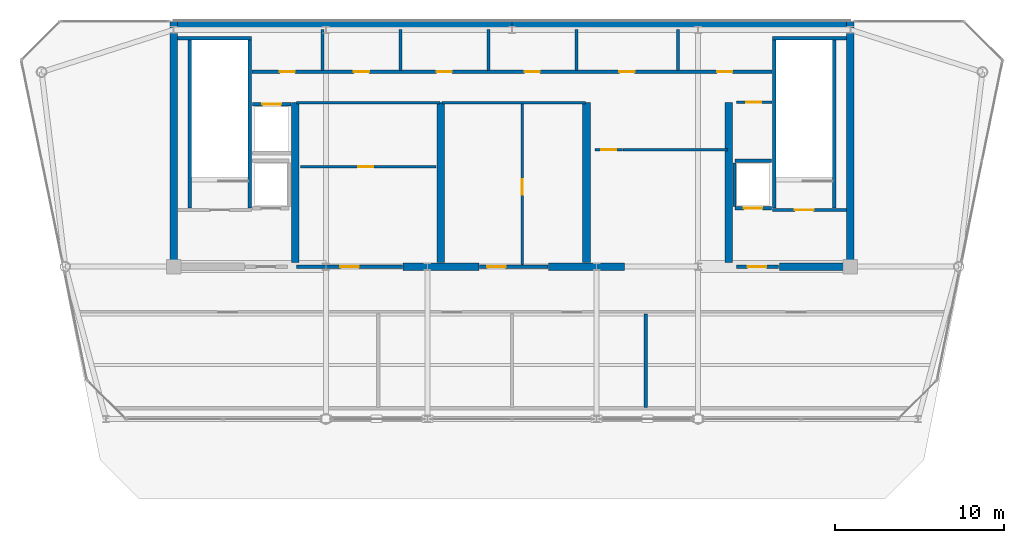
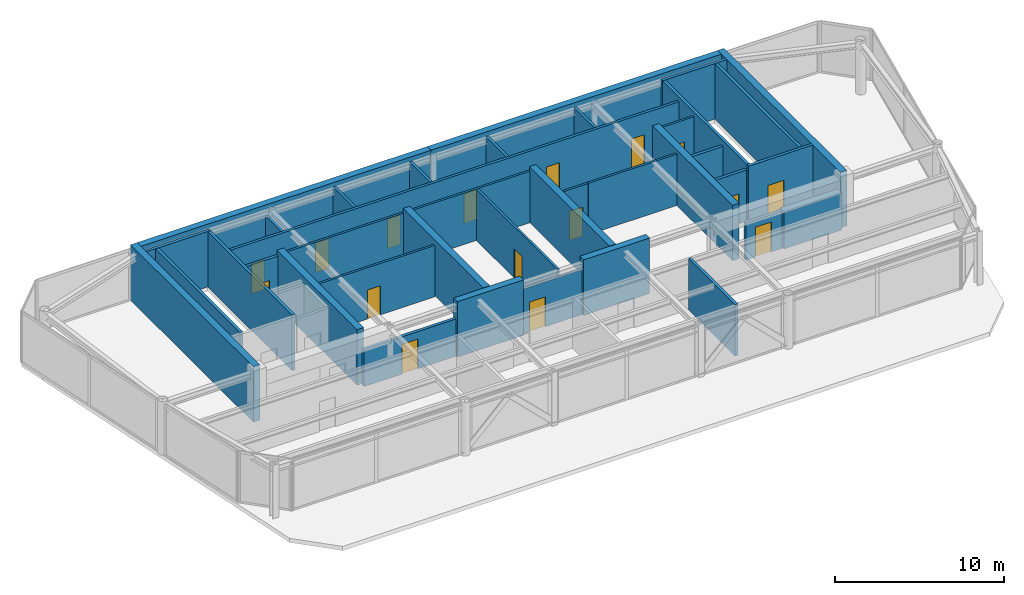
# One storey, part 6 of 7: 39 walls, 16 doors, 16 openings.
"""IFC4 building model written with IfcOpenShell, lengths in metres."""

from ifc_helpers import new_model, si_unit, direction, frame, frame_2d, origin, place, context, subcontext, project, spatial, rectangle, extrude, source, transform, mapped, material, layer, layer_set, type_object, element, fill, save


model = new_model("IFC4")

# Units and contexts
model_context = context("Model", 3, precision=1e-05, world=origin(), true_north=direction((0.0, 1.0)))
body_context = subcontext(model_context, "Body", "Model", "MODEL_VIEW")
ifc_project = project(units=[si_unit("LENGTHUNIT", "METRE"), si_unit("AREAUNIT", "SQUARE_METRE"), si_unit("VOLUMEUNIT", "CUBIC_METRE"), si_unit("PLANEANGLEUNIT", "RADIAN"), si_unit("MASSUNIT", "GRAM", prefix="KILO")], contexts=[model_context])

# Site, building, storey
site_placement = place(None, origin())
site = spatial("IfcSite", under=ifc_project, at=site_placement, CompositionType="ELEMENT")
building_placement = place(site_placement, origin())
building = spatial("IfcBuilding", under=site, at=building_placement, Name="Vaeldorn Concourse Tower", CompositionType="ELEMENT")
storey_placement = place(building_placement, frame((0.0, 0.0, 312.800048828125)))
storey = spatial("IfcBuildingStorey", under=building, at=storey_placement, Name="L80", CompositionType="ELEMENT", Elevation=312.800048828125)

# Walls
ifc_material_1 = material(Name="Concrete C50/60", Category="concrete")
ifc_layer_1 = layer(ifc_material_1, 0.449951171875)
ifc_layer_set_1 = layer_set([ifc_layer_1], Name="Concrete C50/60")
wall_type_1 = type_object("IfcWallType", Name="WL-CORE-450", PredefinedType="SHEAR", material=ifc_layer_set_1)
for number, where, z_axis, x_axis, name in (
    (1, (14.22900390625, 50.77490234375, 0.0), (0.0, 0.0, 1.0), (1.0, 0.0, 0.0), "Rear Core Shear Wall L80 N1"),
    (2, (34.001953125, 50.77490234375, 0.0), (0.0, 0.0, 1.0), (1.0, 0.0, 0.0), "Rear Core Shear Wall L80 N2"),
):
    element("IfcWall", number, at=place(storey_placement, frame(where, z_axis=z_axis, x_axis=x_axis)), inside=storey, type_object=wall_type_1, Name=name, PredefinedType="SHEAR", context=body_context, shape_type="SweptSolid", body=[
        extrude(rectangle(XDim=19.76904296875, YDim=0.449951171875, at=frame_2d((9.884521484375, 0.0))), origin(), (0.0, 0.0, 1.0), 4.0),
    ])
for number, where, z_axis, x_axis, name in (
    (3, (14.0, 36.5, 0.0), (0.0, 0.0, 1.0), (0.0, 1.0, 0.0), "Rear Core Shear Wall L80 W1"),
    (4, (54.0, 36.5, 0.0), (0.0, 0.0, 1.0), (0.0, 1.0, 0.0), "Rear Core Shear Wall L80 E1"),
):
    element("IfcWall", number, at=place(storey_placement, frame(where, z_axis=z_axis, x_axis=x_axis)), inside=storey, type_object=wall_type_1, Name=name, PredefinedType="SHEAR", context=body_context, shape_type="SweptSolid", body=[
        extrude(rectangle(XDim=14.5, YDim=0.449951171875, at=frame_2d((7.25, 0.0))), origin(), (0.0, 0.0, 1.0), 4.0),
    ])
for number, where, z_axis, x_axis, name in (
    (5, (27.550048828125, 36.5, 0.0), (0.0, 0.0, 1.0), (1.0, 0.0, 0.0), "Rear Core Shear Wall L80 S2"),
    (6, (36.14990234375, 36.5, 0.0), (0.0, 0.0, 1.0), (1.0, 0.0, 0.0), "Rear Core Shear Wall L80 S3"),
):
    element("IfcWall", number, at=place(storey_placement, frame(where, z_axis=z_axis, x_axis=x_axis)), inside=storey, type_object=wall_type_1, Name=name, PredefinedType="SHEAR", context=body_context, shape_type="SweptSolid", body=[
        extrude(rectangle(XDim=4.5, YDim=0.449951171875, at=frame_2d((2.25, 0.0))), origin(), (0.0, 0.0, 1.0), 4.0),
    ])
wall_1_placement = place(storey_placement, frame((49.800048828125, 36.5, 0.0), z_axis=(0.0, 0.0, 1.0), x_axis=(1.0, 0.0, 0.0)))
element("IfcWall", 7, at=wall_1_placement, inside=storey, type_object=wall_type_1, Name="Rear Core Shear Wall L80 S4", PredefinedType="SHEAR", context=body_context, shape_type="SweptSolid", body=[
    extrude(rectangle(XDim=3.954833984375, YDim=0.449951171875, at=frame_2d((1.9775390625, 0.0))), origin(), (0.0, 0.0, 1.0), 2.699951171875),
])
for number, where, z_axis, x_axis, name in (
    (8, (21.199951171875, 36.7451171875, 0.0), (0.0, 0.0, 1.0), (0.0, 1.0, 0.0), "Rear Core Shear Wall L80 M1"),
    (9, (29.800048828125, 36.7451171875, 0.0), (0.0, 0.0, 1.0), (0.0, 1.0, 0.0), "Rear Core Shear Wall L80 M2"),
    (10, (38.39990234375, 36.7451171875, 0.0), (0.0, 0.0, 1.0), (0.0, 1.0, 0.0), "Rear Core Shear Wall L80 M3"),
    (11, (46.800048828125, 36.7451171875, 0.0), (0.0, 0.0, 1.0), (0.0, 1.0, 0.0), "Rear Core Shear Wall L80 M4"),
):
    element("IfcWall", number, at=place(storey_placement, frame(where, z_axis=z_axis, x_axis=x_axis)), inside=storey, type_object=wall_type_1, Name=name, PredefinedType="SHEAR", context=body_context, shape_type="SweptSolid", body=[
        extrude(rectangle(XDim=9.454833984375, YDim=0.449951171875, at=frame_2d((4.7275390625, 0.0))), origin(), (0.0, 0.0, 1.0), 4.0),
    ])
ifc_material_2 = material(Name="Gypsum Board Partition", Category="gypsum")
ifc_layer_2 = layer(ifc_material_2, 0.14990234375)
ifc_layer_set_2 = layer_set([ifc_layer_2], Name="Gypsum Board Partition")
wall_type_2 = type_object("IfcWallType", Name="WL-PART-150", PredefinedType="PARTITIONING", material=ifc_layer_set_2)
wall_2_placement = place(storey_placement, frame((21.25, 46.199951171875, 0.0), z_axis=(0.0, 0.0, 1.0), x_axis=(1.0, 0.0, 0.0)))
element("IfcWall", 12, at=wall_2_placement, inside=storey, type_object=wall_type_2, Name="Interior Wall CW-L80-R1N", PredefinedType="PARTITIONING", context=body_context, shape_type="SweptSolid", body=[
    extrude(rectangle(XDim=8.5, YDim=0.14990234375, at=frame_2d((4.25, 0.0))), origin(), (0.0, 0.0, 1.0), 3.699951171875),
])

# Wall, opening, door
wall_3_placement = place(storey_placement, frame((21.5, 42.39990234375, 0.0), z_axis=(0.0, 0.0, 1.0), x_axis=(1.0, 0.0, 0.0)))
wall_3 = element("IfcWall", 13, at=wall_3_placement, inside=storey, type_object=wall_type_2, Name="Interior Wall CW-L80-R1M", PredefinedType="PARTITIONING", context=body_context, shape_type="SweptSolid", body=[
    extrude(rectangle(XDim=8.0, YDim=0.14990234375, at=frame_2d((4.0, 0.0))), origin(), (0.0, 0.0, 1.0), 3.699951171875),
])
opening_1_placement = place(wall_3_placement, frame((3.39990234375, 0.0, 0.0)))
opening_1 = element("IfcOpeningElement", 14, at=opening_1_placement, cuts=wall_3, Name="Opening D-02", PredefinedType="OPENING", context=body_context, shape_type="SweptSolid", body=[
    extrude(rectangle(XDim=0.89990234375, YDim=2.10009765625, at=frame_2d((0.449951171875, 1.050048828125))), frame((0.0, 0.0849609375, 0.0), z_axis=(0.0, -1.0, 0.0), x_axis=(1.0, 0.0, 0.0)), (0.0, 0.0, 1.0), 0.169921875),
])
ifc_material_3 = material(Name="Fire-Rated Timber Leaf", Category="wood")
door_type_1 = type_object("IfcDoorType", Name="DR-FD30-900", OperationType="NOTDEFINED", PredefinedType="DOOR", material=ifc_material_3)
shared_shape_1 = source(origin(), body_context, "Body", "SweptSolid", [
    extrude(rectangle(XDim=0.89990234375, YDim=2.10009765625, at=frame_2d((0.449951171875, 1.050048828125))), frame((0.0, 0.02490234375, 0.0), z_axis=(0.0, -1.0, 0.0), x_axis=(1.0, 0.0, 0.0)), (0.0, 0.0, 1.0), 0.050048828125),
])
door_1_placement = place(opening_1_placement, origin())
door_1 = element("IfcDoor", 15, at=door_1_placement, inside=storey, type_object=door_type_1, Name="Interior Door DR-L80-R1M", OperationType="SINGLE_SWING_RIGHT", OverallHeight=2.10009765625, OverallWidth=0.89990234375, PredefinedType="DOOR", context=body_context, shape_type="MappedRepresentation", body=[
    mapped(shared_shape_1, transform((0.0, 0.0, 0.0), scale=1.0)),
])
fill(opening_1, door_1)

# Wall
wall_4_placement = place(storey_placement, frame((29.85009765625, 46.199951171875, 0.0), z_axis=(0.0, 0.0, 1.0), x_axis=(1.0, 0.0, 0.0)))
element("IfcWall", 16, at=wall_4_placement, inside=storey, type_object=wall_type_2, Name="Interior Wall CW-L80-R2N", PredefinedType="PARTITIONING", context=body_context, shape_type="SweptSolid", body=[
    extrude(rectangle(XDim=8.5, YDim=0.14990234375, at=frame_2d((4.25, 0.0))), origin(), (0.0, 0.0, 1.0), 3.699951171875),
])

# Wall, opening, door
wall_5_placement = place(storey_placement, frame((34.60009765625, 36.56005859375, 0.0), z_axis=(0.0, 0.0, 1.0), x_axis=(0.0, 1.0, 0.0)))
wall_5 = element("IfcWall", 17, at=wall_5_placement, inside=storey, type_object=wall_type_2, Name="Interior Wall CW-L80-R2M", PredefinedType="PARTITIONING", context=body_context, shape_type="SweptSolid", body=[
    extrude(rectangle(XDim=9.579833984375, YDim=0.14990234375, at=frame_2d((4.7900390625, 0.0))), origin(), (0.0, 0.0, 1.0), 3.699951171875),
])
opening_2_placement = place(wall_5_placement, frame((4.199951171875, 0.0, 0.0)))
opening_2 = element("IfcOpeningElement", 18, at=opening_2_placement, cuts=wall_5, Name="Opening D-02", PredefinedType="OPENING", context=body_context, shape_type="SweptSolid", body=[
    extrude(rectangle(XDim=0.89990234375, YDim=2.10009765625, at=frame_2d((0.449951171875, 1.050048828125))), frame((0.0, 0.0849609375, 0.0), z_axis=(0.0, -1.0, 0.0), x_axis=(1.0, 0.0, 0.0)), (0.0, 0.0, 1.0), 0.169921875),
])
door_2_placement = place(opening_2_placement, origin())
door_2 = element("IfcDoor", 19, at=door_2_placement, inside=storey, type_object=door_type_1, Name="Interior Door DR-L80-R2E", OperationType="SINGLE_SWING_RIGHT", OverallHeight=2.10009765625, OverallWidth=0.89990234375, PredefinedType="DOOR", context=body_context, shape_type="MappedRepresentation", body=[
    mapped(shared_shape_1, transform((0.0, 0.0, 0.0), scale=1.0)),
])
fill(opening_2, door_2)

# Wall
wall_6_placement = place(storey_placement, frame((40.550048828125, 43.39990234375, 0.0), z_axis=(0.0, 0.0, 1.0), x_axis=(1.0, 0.0, 0.0)))
element("IfcWall", 20, at=wall_6_placement, inside=storey, type_object=wall_type_2, Name="Interior Wall CW-L80-B3N", PredefinedType="PARTITIONING", context=body_context, shape_type="SweptSolid", body=[
    extrude(rectangle(XDim=6.199951171875, YDim=0.14990234375, at=frame_2d((3.10009765625, 0.0))), origin(), (0.0, 0.0, 1.0), 3.699951171875),
])

# Wall, opening, door
wall_7_placement = place(storey_placement, frame((47.280029296875, 46.219970703125, 0.0), z_axis=(0.0, 0.0, 1.0), x_axis=(1.0, 0.0, 0.0)))
wall_7 = element("IfcWall", 21, at=wall_7_placement, inside=storey, type_object=wall_type_2, Name="Interior Wall CW-L80-CRSE-N", PredefinedType="PARTITIONING", context=body_context, shape_type="SweptSolid", body=[
    extrude(rectangle(XDim=2.099853515625, YDim=0.14990234375, at=frame_2d((1.0498046875, 0.0))), origin(), (0.0, 0.0, 1.0), 3.699951171875),
])
opening_3_placement = place(wall_7_placement, frame((0.550048828125, 0.0, 0.0)))
opening_3 = element("IfcOpeningElement", 22, at=opening_3_placement, cuts=wall_7, Name="Opening D-02", PredefinedType="OPENING", context=body_context, shape_type="SweptSolid", body=[
    extrude(rectangle(XDim=0.89990234375, YDim=2.10009765625, at=frame_2d((0.449951171875, 1.050048828125))), frame((0.0, 0.0849609375, 0.0), z_axis=(0.0, -1.0, 0.0), x_axis=(1.0, 0.0, 0.0)), (0.0, 0.0, 1.0), 0.169921875),
])
door_3_placement = place(opening_3_placement, origin())
door_3 = element("IfcDoor", 23, at=door_3_placement, inside=storey, type_object=door_type_1, Name="Interior Door DR-L80-CRSE", OperationType="SINGLE_SWING_RIGHT", OverallHeight=2.10009765625, OverallWidth=0.89990234375, PredefinedType="DOOR", context=body_context, shape_type="MappedRepresentation", body=[
    mapped(shared_shape_1, transform((0.0, 0.0, 0.0), scale=1.0)),
])
fill(opening_3, door_3)

wall_8_placement = place(storey_placement, frame((38.919921875, 43.39990234375, 0.0), z_axis=(0.0, 0.0, 1.0), x_axis=(1.0, 0.0, 0.0)))
wall_8 = element("IfcWall", 24, at=wall_8_placement, inside=storey, type_object=wall_type_2, Name="Interior Wall CW-L80-CCLINK", PredefinedType="PARTITIONING", context=body_context, shape_type="SweptSolid", body=[
    extrude(rectangle(XDim=1.60009765625, YDim=0.14990234375, at=frame_2d((0.800048828125, 0.0))), origin(), (0.0, 0.0, 1.0), 3.699951171875),
])
opening_4_placement = place(wall_8_placement, frame((0.35009765625, 0.0, 0.0)))
opening_4 = element("IfcOpeningElement", 25, at=opening_4_placement, cuts=wall_8, Name="Opening D-02", PredefinedType="OPENING", context=body_context, shape_type="SweptSolid", body=[
    extrude(rectangle(XDim=0.89990234375, YDim=2.10009765625, at=frame_2d((0.449951171875, 1.050048828125))), frame((0.0, 0.0849609375, 0.0), z_axis=(0.0, -1.0, 0.0), x_axis=(1.0, 0.0, 0.0)), (0.0, 0.0, 1.0), 0.169921875),
])
door_4_placement = place(opening_4_placement, origin())
door_4 = element("IfcDoor", 26, at=door_4_placement, inside=storey, type_object=door_type_1, Name="Interior Door DR-L80-CCLINK", OperationType="SINGLE_SWING_LEFT", OverallHeight=2.10009765625, OverallWidth=0.89990234375, PredefinedType="DOOR", context=body_context, shape_type="MappedRepresentation", body=[
    mapped(shared_shape_1, transform((0.0, 0.0, 0.0), scale=1.0)),
])
fill(opening_4, door_4)

# Wall, openings, doors
ifc_layer_3 = layer(ifc_material_2, 0.179931640625)
ifc_layer_set_3 = layer_set([ifc_layer_3], Name="Gypsum Board Partition")
wall_type_3 = type_object("IfcWallType", Name="WL-PLUMB-180", PredefinedType="PLUMBINGWALL", material=ifc_layer_set_3)
wall_9_placement = place(storey_placement, frame((18.6201171875, 48.02001953125, 0.0), z_axis=(0.0, 0.0, 1.0), x_axis=(1.0, 0.0, 0.0)))
wall_9 = element("IfcWall", 27, at=wall_9_placement, inside=storey, type_object=wall_type_3, Name="Interior Wall CW-L80-NS3", PredefinedType="PLUMBINGWALL", context=body_context, shape_type="SweptSolid", body=[
    extrude(rectangle(XDim=30.759765625, YDim=0.179931640625, at=frame_2d((15.3798828125, 0.0))), origin(), (0.0, 0.0, 1.0), 3.699951171875),
])
opening_5_placement = place(wall_9_placement, frame((1.655029296875, 0.0, 0.0)))
opening_5 = element("IfcOpeningElement", 28, at=opening_5_placement, cuts=wall_9, Name="Opening D-03", PredefinedType="OPENING", context=body_context, shape_type="SweptSolid", body=[
    extrude(rectangle(XDim=0.89990234375, YDim=2.14990234375, at=frame_2d((0.449951171875, 1.074951171875))), frame((0.0, 0.10009765625, 0.0), z_axis=(0.0, -1.0, 0.0), x_axis=(1.0, 0.0, 0.0)), (0.0, 0.0, 1.0), 0.199951171875),
])
opening_6_placement = place(wall_9_placement, frame((6.030029296875, 0.0, 0.0)))
opening_6 = element("IfcOpeningElement", 29, at=opening_6_placement, cuts=wall_9, Name="Opening D-03", PredefinedType="OPENING", context=body_context, shape_type="SweptSolid", body=[
    extrude(rectangle(XDim=0.89990234375, YDim=2.14990234375, at=frame_2d((0.449951171875, 1.074951171875))), frame((0.0, 0.10009765625, 0.0), z_axis=(0.0, -1.0, 0.0), x_axis=(1.0, 0.0, 0.0)), (0.0, 0.0, 1.0), 0.199951171875),
])
opening_7_placement = place(wall_9_placement, frame((10.929931640625, 0.0, 0.0)))
opening_7 = element("IfcOpeningElement", 30, at=opening_7_placement, cuts=wall_9, Name="Opening D-03", PredefinedType="OPENING", context=body_context, shape_type="SweptSolid", body=[
    extrude(rectangle(XDim=0.89990234375, YDim=2.14990234375, at=frame_2d((0.449951171875, 1.074951171875))), frame((0.0, 0.10009765625, 0.0), z_axis=(0.0, -1.0, 0.0), x_axis=(1.0, 0.0, 0.0)), (0.0, 0.0, 1.0), 0.199951171875),
])
opening_8_placement = place(wall_9_placement, frame((16.1298828125, 0.0, 0.0)))
opening_8 = element("IfcOpeningElement", 31, at=opening_8_placement, cuts=wall_9, Name="Opening D-03", PredefinedType="OPENING", context=body_context, shape_type="SweptSolid", body=[
    extrude(rectangle(XDim=0.89990234375, YDim=2.14990234375, at=frame_2d((0.449951171875, 1.074951171875))), frame((0.0, 0.10009765625, 0.0), z_axis=(0.0, -1.0, 0.0), x_axis=(1.0, 0.0, 0.0)), (0.0, 0.0, 1.0), 0.199951171875),
])
opening_9_placement = place(wall_9_placement, frame((21.72998046875, 0.0, 0.0)))
opening_9 = element("IfcOpeningElement", 32, at=opening_9_placement, cuts=wall_9, Name="Opening D-03", PredefinedType="OPENING", context=body_context, shape_type="SweptSolid", body=[
    extrude(rectangle(XDim=0.89990234375, YDim=2.14990234375, at=frame_2d((0.449951171875, 1.074951171875))), frame((0.0, 0.10009765625, 0.0), z_axis=(0.0, -1.0, 0.0), x_axis=(1.0, 0.0, 0.0)), (0.0, 0.0, 1.0), 0.199951171875),
])
opening_10_placement = place(wall_9_placement, frame((27.5048828125, 0.0, 0.0)))
opening_10 = element("IfcOpeningElement", 33, at=opening_10_placement, cuts=wall_9, Name="Opening D-03", PredefinedType="OPENING", context=body_context, shape_type="SweptSolid", body=[
    extrude(rectangle(XDim=0.89990234375, YDim=2.14990234375, at=frame_2d((0.449951171875, 1.074951171875))), frame((0.0, 0.10009765625, 0.0), z_axis=(0.0, -1.0, 0.0), x_axis=(1.0, 0.0, 0.0)), (0.0, 0.0, 1.0), 0.199951171875),
])
ifc_material_4 = material(Name="Acoustic Bronze-Framed Glass Door", Category="glass")
door_type_2 = type_object("IfcDoorType", Name="DR-INT-900", OperationType="NOTDEFINED", PredefinedType="DOOR", material=ifc_material_4)
shared_shape_2 = source(origin(), body_context, "Body", "SweptSolid", [
    extrude(rectangle(XDim=0.89990234375, YDim=2.14990234375, at=frame_2d((0.449951171875, 1.074951171875))), frame((0.0, 0.02490234375, 0.0), z_axis=(0.0, -1.0, 0.0), x_axis=(1.0, 0.0, 0.0)), (0.0, 0.0, 1.0), 0.050048828125),
])
door_5_placement = place(opening_5_placement, origin())
door_5 = element("IfcDoor", 34, at=door_5_placement, inside=storey, type_object=door_type_2, Name="Interior Door DR-L80-CS1", OperationType="SINGLE_SWING_LEFT", OverallHeight=2.14990234375, OverallWidth=0.89990234375, PredefinedType="DOOR", context=body_context, shape_type="MappedRepresentation", body=[
    mapped(shared_shape_2, transform((0.0, 0.0, 0.0), scale=1.0)),
])
fill(opening_5, door_5)
door_6_placement = place(opening_6_placement, origin())
door_6 = element("IfcDoor", 35, at=door_6_placement, inside=storey, type_object=door_type_2, Name="Interior Door DR-L80-CS2", OperationType="SINGLE_SWING_RIGHT", OverallHeight=2.14990234375, OverallWidth=0.89990234375, PredefinedType="DOOR", context=body_context, shape_type="MappedRepresentation", body=[
    mapped(shared_shape_2, transform((0.0, 0.0, 0.0), scale=1.0)),
])
fill(opening_6, door_6)
door_7_placement = place(opening_7_placement, origin())
door_7 = element("IfcDoor", 36, at=door_7_placement, inside=storey, type_object=door_type_2, Name="Interior Door DR-L80-CS3", OperationType="SINGLE_SWING_LEFT", OverallHeight=2.14990234375, OverallWidth=0.89990234375, PredefinedType="DOOR", context=body_context, shape_type="MappedRepresentation", body=[
    mapped(shared_shape_2, transform((0.0, 0.0, 0.0), scale=1.0)),
])
fill(opening_7, door_7)
door_8_placement = place(opening_8_placement, origin())
door_8 = element("IfcDoor", 37, at=door_8_placement, inside=storey, type_object=door_type_2, Name="Interior Door DR-L80-CS4", OperationType="SINGLE_SWING_RIGHT", OverallHeight=2.14990234375, OverallWidth=0.89990234375, PredefinedType="DOOR", context=body_context, shape_type="MappedRepresentation", body=[
    mapped(shared_shape_2, transform((0.0, 0.0, 0.0), scale=1.0)),
])
fill(opening_8, door_8)
door_9_placement = place(opening_9_placement, origin())
door_9 = element("IfcDoor", 38, at=door_9_placement, inside=storey, type_object=door_type_2, Name="Interior Door DR-L80-CS5", OperationType="SINGLE_SWING_LEFT", OverallHeight=2.14990234375, OverallWidth=0.89990234375, PredefinedType="DOOR", context=body_context, shape_type="MappedRepresentation", body=[
    mapped(shared_shape_2, transform((0.0, 0.0, 0.0), scale=1.0)),
])
fill(opening_9, door_9)
door_10_placement = place(opening_10_placement, origin())
door_10 = element("IfcDoor", 39, at=door_10_placement, inside=storey, type_object=door_type_2, Name="Interior Door DR-L80-CS6", OperationType="SINGLE_SWING_RIGHT", OverallHeight=2.14990234375, OverallWidth=0.89990234375, PredefinedType="DOOR", context=body_context, shape_type="MappedRepresentation", body=[
    mapped(shared_shape_2, transform((0.0, 0.0, 0.0), scale=1.0)),
])
fill(opening_10, door_10)

# Walls
wall_10_placement = place(storey_placement, frame((22.800048828125, 48.10009765625, 0.0), z_axis=(0.0, 0.0, 1.0), x_axis=(0.0, 1.0, 0.0)))
element("IfcWall", 40, at=wall_10_placement, inside=storey, type_object=wall_type_3, Name="Interior Wall CW-L80-NDIV1", PredefinedType="PLUMBINGWALL", context=body_context, shape_type="SweptSolid", body=[
    extrude(rectangle(XDim=2.429931640625, YDim=0.179931640625, at=frame_2d((1.21484375, 0.0))), origin(), (0.0, 0.0, 1.0), 3.239990234375),
])
for number, where, z_axis, x_axis, name in (
    (41, (27.39990234375, 48.10009765625, 0.0), (0.0, 0.0, 1.0), (0.0, 1.0, 0.0), "Interior Wall CW-L80-NDIV2"),
    (42, (32.60009765625, 48.10009765625, 0.0), (0.0, 0.0, 1.0), (0.0, 1.0, 0.0), "Interior Wall CW-L80-NDIV3"),
    (43, (37.800048828125, 48.10009765625, 0.0), (0.0, 0.0, 1.0), (0.0, 1.0, 0.0), "Interior Wall CW-L80-NDIV4"),
    (44, (43.800048828125, 48.10009765625, 0.0), (0.0, 0.0, 1.0), (0.0, 1.0, 0.0), "Interior Wall CW-L80-NDIV5"),
):
    element("IfcWall", number, at=place(storey_placement, frame(where, z_axis=z_axis, x_axis=x_axis)), inside=storey, type_object=wall_type_3, Name=name, PredefinedType="PLUMBINGWALL", context=body_context, shape_type="SweptSolid", body=[
        extrude(rectangle(XDim=2.429931640625, YDim=0.179931640625, at=frame_2d((1.21484375, 0.0))), origin(), (0.0, 0.0, 1.0), 3.699951171875),
    ])
ifc_layer_4 = layer(ifc_material_1, 0.199951171875)
ifc_layer_set_4 = layer_set([ifc_layer_4], Name="Concrete C50/60")
wall_type_4 = type_object("IfcWallType", Name="WL-SHAFT-200", PredefinedType="SOLIDWALL", material=ifc_layer_set_4)
wall_11_placement = place(storey_placement, frame((14.22509765625, 50.0, 0.0), z_axis=(0.0, 0.0, 1.0), x_axis=(1.0, 0.0, 0.0)))
element("IfcWall", 45, at=wall_11_placement, inside=storey, type_object=wall_type_4, Name="Stair Shaft Wall CW-L80-ST-1-N", PredefinedType="SOLIDWALL", context=body_context, shape_type="SweptSolid", body=[
    extrude(rectangle(XDim=4.375, YDim=0.199951171875, at=frame_2d((2.1875, 0.0))), origin(), (0.0, 0.0, 1.0), 4.0),
])
for number, where, z_axis, x_axis, name in (
    (46, (14.949951171875, 39.9599609375, 0.0), (0.0, 0.0, 1.0), (0.0, 1.0, 0.0), "Stair Shaft Wall CW-L80-ST-1-W"),
    (47, (18.5, 39.9599609375, 0.0), (0.0, 0.0, 1.0), (0.0, 1.0, 0.0), "Stair Shaft Wall CW-L80-ST-1-E"),
):
    element("IfcWall", number, at=place(storey_placement, frame(where, z_axis=z_axis, x_axis=x_axis)), inside=storey, type_object=wall_type_4, Name=name, PredefinedType="SOLIDWALL", context=body_context, shape_type="SweptSolid", body=[
        extrude(rectangle(XDim=9.929931640625, YDim=0.199951171875, at=frame_2d((4.96484375, 0.0))), origin(), (0.0, 0.0, 1.0), 4.0),
    ])

# Wall, opening, door
wall_12_placement = place(storey_placement, frame((49.39990234375, 39.85009765625, 0.0), z_axis=(0.0, 0.0, 1.0), x_axis=(1.0, 0.0, 0.0)))
wall_12 = element("IfcWall", 48, at=wall_12_placement, inside=storey, type_object=wall_type_4, Name="Stair Shaft Wall CW-L80-ST-2-S", PredefinedType="SOLIDWALL", context=body_context, shape_type="SweptSolid", body=[
    extrude(rectangle(XDim=4.375, YDim=0.199951171875, at=frame_2d((2.1875, 0.0))), origin(), (0.0, 0.0, 1.0), 4.0),
])
opening_11_placement = place(wall_12_placement, frame((1.324951171875, 0.0, 0.0)))
opening_11 = element("IfcOpeningElement", 49, at=opening_11_placement, cuts=wall_12, Name="Opening D-01", PredefinedType="OPENING", context=body_context, shape_type="SweptSolid", body=[
    extrude(rectangle(XDim=1.10009765625, YDim=2.14990234375, at=frame_2d((0.550048828125, 1.074951171875))), frame((0.0, 0.10986328125, 0.0), z_axis=(0.0, -1.0, 0.0), x_axis=(1.0, 0.0, 0.0)), (0.0, 0.0, 1.0), 0.219970703125),
])
ifc_material_5 = material(Name="Fire-Rated Timber and Steel Leaf", Category="steel")
door_type_3 = type_object("IfcDoorType", Name="DR-FD60-1100", OperationType="NOTDEFINED", PredefinedType="DOOR", material=ifc_material_5)
shared_shape_3 = source(origin(), body_context, "Body", "SweptSolid", [
    extrude(rectangle(XDim=1.10009765625, YDim=2.14990234375, at=frame_2d((0.550048828125, 1.074951171875))), frame((0.0, 0.02490234375, 0.0), z_axis=(0.0, -1.0, 0.0), x_axis=(1.0, 0.0, 0.0)), (0.0, 0.0, 1.0), 0.050048828125),
])
door_11_placement = place(opening_11_placement, origin())
door_11 = element("IfcDoor", 50, at=door_11_placement, inside=storey, type_object=door_type_3, Name="Interior Door DR-L80-ST-2", OperationType="SINGLE_SWING_RIGHT", OverallHeight=2.14990234375, OverallWidth=1.10009765625, PredefinedType="DOOR", context=body_context, shape_type="MappedRepresentation", body=[
    mapped(shared_shape_3, transform((0.0, 0.0, 0.0), scale=1.0)),
])
fill(opening_11, door_11)

# Walls
wall_13_placement = place(storey_placement, frame((49.39990234375, 50.0, 0.0), z_axis=(0.0, 0.0, 1.0), x_axis=(1.0, 0.0, 0.0)))
element("IfcWall", 51, at=wall_13_placement, inside=storey, type_object=wall_type_4, Name="Stair Shaft Wall CW-L80-ST-2-N", PredefinedType="SOLIDWALL", context=body_context, shape_type="SweptSolid", body=[
    extrude(rectangle(XDim=4.375, YDim=0.199951171875, at=frame_2d((2.1875, 0.0))), origin(), (0.0, 0.0, 1.0), 4.0),
])
for number, where, z_axis, x_axis, name in (
    (52, (49.5, 39.9599609375, 0.0), (0.0, 0.0, 1.0), (0.0, 1.0, 0.0), "Stair Shaft Wall CW-L80-ST-2-W"),
    (53, (53.050048828125, 39.9599609375, 0.0), (0.0, 0.0, 1.0), (0.0, 1.0, 0.0), "Stair Shaft Wall CW-L80-ST-2-E"),
):
    element("IfcWall", number, at=place(storey_placement, frame(where, z_axis=z_axis, x_axis=x_axis)), inside=storey, type_object=wall_type_4, Name=name, PredefinedType="SOLIDWALL", context=body_context, shape_type="SweptSolid", body=[
        extrude(rectangle(XDim=9.929931640625, YDim=0.199951171875, at=frame_2d((4.96484375, 0.0))), origin(), (0.0, 0.0, 1.0), 4.0),
    ])

# Wall, opening, door
wall_14_placement = place(storey_placement, frame((47.280029296875, 36.5, 0.0), z_axis=(0.0, 0.0, 1.0), x_axis=(1.0, 0.0, 0.0)))
wall_14 = element("IfcWall", 54, at=wall_14_placement, inside=storey, type_object=wall_type_4, Name="Interior Wall CW-L80-FF2S", PredefinedType="SOLIDWALL", context=body_context, shape_type="SweptSolid", body=[
    extrude(rectangle(XDim=2.469970703125, YDim=0.199951171875, at=frame_2d((1.23486328125, 0.0))), origin(), (0.0, 0.0, 1.0), 2.68994140625),
])
opening_12_placement = place(wall_14_placement, frame((0.64990234375, 0.0, 0.0)))
opening_12 = element("IfcOpeningElement", 55, at=opening_12_placement, cuts=wall_14, Name="Opening D-01", PredefinedType="OPENING", context=body_context, shape_type="SweptSolid", body=[
    extrude(rectangle(XDim=1.10009765625, YDim=2.14990234375, at=frame_2d((0.550048828125, 1.074951171875))), frame((0.0, 0.10986328125, 0.0), z_axis=(0.0, -1.0, 0.0), x_axis=(1.0, 0.0, 0.0)), (0.0, 0.0, 1.0), 0.219970703125),
])
door_12_placement = place(opening_12_placement, origin())
door_12 = element("IfcDoor", 56, at=door_12_placement, inside=storey, type_object=door_type_3, Name="Interior Door DR-L80-FF2W", OperationType="SINGLE_SWING_LEFT", OverallHeight=2.14990234375, OverallWidth=1.10009765625, PredefinedType="DOOR", context=body_context, shape_type="MappedRepresentation", body=[
    mapped(shared_shape_3, transform((0.0, 0.0, 0.0), scale=1.0)),
])
fill(opening_12, door_12)

wall_15_placement = place(storey_placement, frame((18.669921875, 46.10009765625, 0.0), z_axis=(0.0, 0.0, 1.0), x_axis=(1.0, 0.0, 0.0)))
wall_15 = element("IfcWall", 57, at=wall_15_placement, inside=storey, type_object=wall_type_4, Name="Interior Wall CW-L80-LF-LF-SV1", PredefinedType="SOLIDWALL", context=body_context, shape_type="SweptSolid", body=[
    extrude(rectangle(XDim=2.260009765625, YDim=0.199951171875, at=frame_2d((1.1298828125, 0.0))), origin(), (0.0, 0.0, 1.0), 3.699951171875),
])
opening_13_placement = place(wall_15_placement, frame((0.580078125, 0.0, 0.0)))
opening_13 = element("IfcOpeningElement", 58, at=opening_13_placement, cuts=wall_15, Name="Opening LD-1", PredefinedType="OPENING", context=body_context, shape_type="SweptSolid", body=[
    extrude(rectangle(XDim=1.10009765625, YDim=2.14990234375, at=frame_2d((0.550048828125, 1.074951171875))), frame((0.0, 0.10986328125, 0.0), z_axis=(0.0, -1.0, 0.0), x_axis=(1.0, 0.0, 0.0)), (0.0, 0.0, 1.0), 0.219970703125),
])
ifc_material_6 = material(Name="Anodised Bronze Aluminium", Category="aluminium")
door_type_4 = type_object("IfcDoorType", Name="DR-LIFT-SLIDE-1100", OperationType="DOUBLE_DOOR_SLIDING", PredefinedType="DOOR", material=ifc_material_6)
door_13_placement = place(opening_13_placement, origin())
door_13 = element("IfcDoor", 59, at=door_13_placement, inside=storey, type_object=door_type_4, Name="Lift Landing Door LD-L80-LF-SV1", OperationType="DOUBLE_DOOR_SLIDING", OverallHeight=2.14990234375, OverallWidth=1.10009765625, PredefinedType="DOOR", context=body_context, shape_type="MappedRepresentation", body=[
    mapped(shared_shape_3, transform((0.0, 0.0, 0.0), scale=1.0)),
])
fill(opening_13, door_13)

wall_16_placement = place(storey_placement, frame((47.169921875, 39.949951171875, 0.0), z_axis=(0.0, 0.0, 1.0), x_axis=(1.0, 0.0, 0.0)))
wall_16 = element("IfcWall", 60, at=wall_16_placement, inside=storey, type_object=wall_type_4, Name="Interior Wall CW-L80-LF-LF-FF2", PredefinedType="SOLIDWALL", context=body_context, shape_type="SweptSolid", body=[
    extrude(rectangle(XDim=2.16015625, YDim=0.199951171875, at=frame_2d((1.080078125, 0.0))), origin(), (0.0, 0.0, 1.0), 3.699951171875),
])
opening_14_placement = place(wall_16_placement, frame((0.530029296875, 0.0, 0.0)))
opening_14 = element("IfcOpeningElement", 61, at=opening_14_placement, cuts=wall_16, Name="Opening LD-1", PredefinedType="OPENING", context=body_context, shape_type="SweptSolid", body=[
    extrude(rectangle(XDim=1.10009765625, YDim=2.14990234375, at=frame_2d((0.550048828125, 1.074951171875))), frame((0.0, 0.10986328125, 0.0), z_axis=(0.0, -1.0, 0.0), x_axis=(1.0, 0.0, 0.0)), (0.0, 0.0, 1.0), 0.219970703125),
])
door_14_placement = place(opening_14_placement, origin())
door_14 = element("IfcDoor", 62, at=door_14_placement, inside=storey, type_object=door_type_4, Name="Lift Landing Door LD-L80-LF-FF2", OperationType="DOUBLE_DOOR_SLIDING", OverallHeight=2.14990234375, OverallWidth=1.10009765625, PredefinedType="DOOR", context=body_context, shape_type="MappedRepresentation", body=[
    mapped(shared_shape_3, transform((0.0, 0.0, 0.0), scale=1.0)),
])
fill(opening_14, door_14)

# Walls
wall_17_placement = place(storey_placement, frame((47.169921875, 42.75, 0.0), z_axis=(0.0, 0.0, 1.0), x_axis=(1.0, 0.0, 0.0)))
element("IfcWall", 63, at=wall_17_placement, inside=storey, type_object=wall_type_4, Name="Interior Wall CW-L80-LFB-LF-FF2", PredefinedType="SOLIDWALL", context=body_context, shape_type="SweptSolid", body=[
    extrude(rectangle(XDim=2.16015625, YDim=0.199951171875, at=frame_2d((1.080078125, 0.0))), origin(), (0.0, 0.0, 1.0), 3.699951171875),
])
wall_18_placement = place(storey_placement, frame((47.14990234375, 40.070068359375, 0.0), z_axis=(0.0, 0.0, 1.0), x_axis=(0.0, 1.0, 0.0)))
element("IfcWall", 64, at=wall_18_placement, inside=storey, type_object=wall_type_4, Name="Interior Wall CW-L80-LFW-LF-FF2", PredefinedType="SOLIDWALL", context=body_context, shape_type="SweptSolid", body=[
    extrude(rectangle(XDim=2.559814453125, YDim=0.199951171875, at=frame_2d((1.27978515625, 0.0))), origin(), (0.0, 0.0, 1.0), 3.699951171875),
])

# Wall, opening, door
wall_19_placement = place(storey_placement, frame((21.25, 36.5, 0.0), z_axis=(0.0, 0.0, 1.0), x_axis=(1.0, 0.0, 0.0)))
wall_19 = element("IfcWall", 65, at=wall_19_placement, inside=storey, type_object=wall_type_4, Name="Interior Wall CW-L80-R1S", PredefinedType="SOLIDWALL", context=body_context, shape_type="SweptSolid", body=[
    extrude(rectangle(XDim=6.27001953125, YDim=0.199951171875, at=frame_2d((3.135009765625, 0.0))), origin(), (0.0, 0.0, 1.0), 2.68994140625),
])
opening_15_placement = place(wall_19_placement, frame((2.60009765625, 0.0, 0.0)))
opening_15 = element("IfcOpeningElement", 66, at=opening_15_placement, cuts=wall_19, Name="Opening D-01", PredefinedType="OPENING", context=body_context, shape_type="SweptSolid", body=[
    extrude(rectangle(XDim=1.10009765625, YDim=2.14990234375, at=frame_2d((0.550048828125, 1.074951171875))), frame((0.0, 0.10986328125, 0.0), z_axis=(0.0, -1.0, 0.0), x_axis=(1.0, 0.0, 0.0)), (0.0, 0.0, 1.0), 0.219970703125),
])
door_15_placement = place(opening_15_placement, origin())
door_15 = element("IfcDoor", 67, at=door_15_placement, inside=storey, type_object=door_type_3, Name="Interior Door DR-L80-R1S", OperationType="SINGLE_SWING_LEFT", OverallHeight=2.14990234375, OverallWidth=1.10009765625, PredefinedType="DOOR", context=body_context, shape_type="MappedRepresentation", body=[
    mapped(shared_shape_3, transform((0.0, 0.0, 0.0), scale=1.0)),
])
fill(opening_15, door_15)

wall_20_placement = place(storey_placement, frame((32.080078125, 36.5, 0.0), z_axis=(0.0, 0.0, 1.0), x_axis=(1.0, 0.0, 0.0)))
wall_20 = element("IfcWall", 68, at=wall_20_placement, inside=storey, type_object=wall_type_4, Name="Interior Wall CW-L80-R2S", PredefinedType="SOLIDWALL", context=body_context, shape_type="SweptSolid", body=[
    extrude(rectangle(XDim=4.0400390625, YDim=0.199951171875, at=frame_2d((2.02001953125, 0.0))), origin(), (0.0, 0.0, 1.0), 3.239990234375),
])
opening_16_placement = place(wall_20_placement, frame((0.449951171875, 0.0, 0.0)))
opening_16 = element("IfcOpeningElement", 69, at=opening_16_placement, cuts=wall_20, Name="Opening D-01", PredefinedType="OPENING", context=body_context, shape_type="SweptSolid", body=[
    extrude(rectangle(XDim=1.10009765625, YDim=2.14990234375, at=frame_2d((0.550048828125, 1.074951171875))), frame((0.0, 0.10986328125, 0.0), z_axis=(0.0, -1.0, 0.0), x_axis=(1.0, 0.0, 0.0)), (0.0, 0.0, 1.0), 0.219970703125),
])
door_16_placement = place(opening_16_placement, origin())
door_16 = element("IfcDoor", 70, at=door_16_placement, inside=storey, type_object=door_type_3, Name="Interior Door DR-L80-R2W", OperationType="SINGLE_SWING_LEFT", OverallHeight=2.14990234375, OverallWidth=1.10009765625, PredefinedType="DOOR", context=body_context, shape_type="MappedRepresentation", body=[
    mapped(shared_shape_3, transform((0.0, 0.0, 0.0), scale=1.0)),
])
fill(opening_16, door_16)

# Wall
wall_21_placement = place(storey_placement, frame((41.89990234375, 28.179931640625, 0.0), z_axis=(0.0, 0.0, 1.0), x_axis=(0.0, 1.0, 0.0)))
element("IfcWall", 71, at=wall_21_placement, inside=storey, type_object=wall_type_4, Name="Interior Wall PW-L80-PD3", PredefinedType="SOLIDWALL", context=body_context, shape_type="SweptSolid", body=[
    extrude(rectangle(XDim=5.52001953125, YDim=0.199951171875, at=frame_2d((2.760009765625, 0.0))), origin(), (0.0, 0.0, 1.0), 3.699951171875),
])

save(model, "model.ifc")
